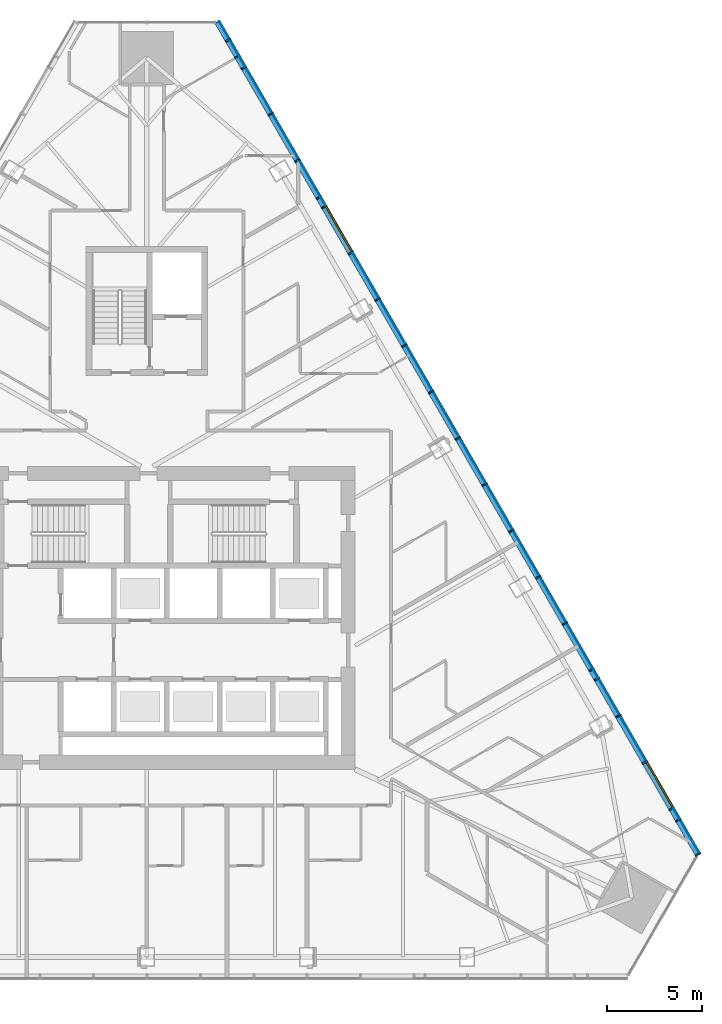
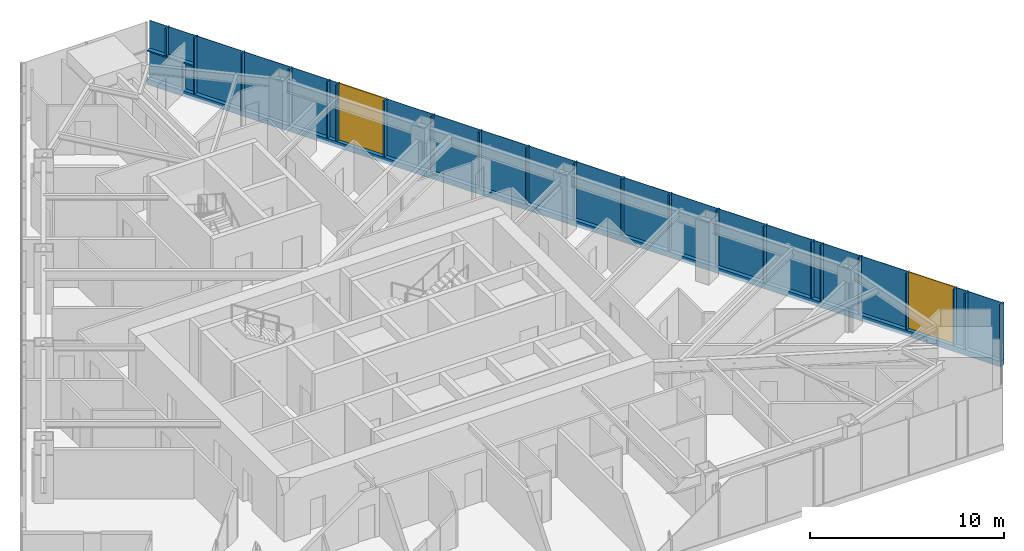
# One storey, part 9 of 20: 25 members, 22 plates, 2 windows, 2 openings, 1 element without a shape of its own.
"""IFC4 building model written with IfcOpenShell, lengths in metres."""

import ifcopenshell
import ifcopenshell.guid

model = None  # the IFC model being written
_history = None  # IfcOwnerHistory: only IFC2X3 demands one
_inside = {}  # id of a spatial element -> (the spatial element, [elements in it])
_under = {}  # id of a project, library or spatial element -> (it, [spatial elements below it])
_declared = {}  # id of a project -> (the project, [libraries it declares])
_typed = {}  # id of a type object -> (the type object, [elements of that type])
_made_of = {}  # id of a material, layer set ... -> (it, [elements and type objects made of it])


def new_model(schema):
    """Start an empty IFC model of exactly this schema.

    Asked for "IFC4X3", IfcOpenShell would pick the latest addendum, in which some entities
    have other attributes; the version numbers below select the first issue.
    IFC2X3 requires an IfcOwnerHistory on every rooted entity: one is made here for all.
    """
    global model, _history
    if schema == "IFC4X3":
        model = ifcopenshell.file(schema_version=(4, 3, 0, 0))
    else:
        model = ifcopenshell.file(schema=schema)
    _inside.clear()
    _under.clear()
    _declared.clear()
    _typed.clear()
    _made_of.clear()
    _history = None
    if model.schema == "IFC2X3":
        org = make("IfcOrganization", Name="unknown")
        user = make(
            "IfcPersonAndOrganization",
            ThePerson=make("IfcPerson", FamilyName="unknown"),
            TheOrganization=org,
        )
        app = make(
            "IfcApplication",
            ApplicationDeveloper=org,
            Version="unknown",
            ApplicationFullName="unknown",
            ApplicationIdentifier="unknown",
        )
        _history = make(
            "IfcOwnerHistory",
            OwningUser=user,
            OwningApplication=app,
            ChangeAction="ADDED",
            CreationDate=0,
        )
    return model


def make(cls, **values):
    """One entity of the class cls with the attributes given. An attribute that is None is left unset."""
    return model.create_entity(
        cls, **{name: value for name, value in values.items() if value is not None}
    )


def rooted(cls, **values):
    """An entity with a GlobalId (a new one), such as an element, a storey or a relation."""
    return make(cls, GlobalId=ifcopenshell.guid.new(), OwnerHistory=_history, **values)


def si_unit(unit_type, name, prefix=None):
    """IfcSIUnit, for example si_unit("LENGTHUNIT", "METRE", prefix="MILLI")."""
    return make("IfcSIUnit", UnitType=unit_type, Prefix=prefix, Name=name)


def assignment(units):
    """IfcUnitAssignment: the units of a project."""
    return None if units is None else make("IfcUnitAssignment", Units=units)


def point(xyz):
    """IfcCartesianPoint."""
    return None if xyz is None else make("IfcCartesianPoint", Coordinates=xyz)


def direction(xyz):
    """IfcDirection."""
    return None if xyz is None else make("IfcDirection", DirectionRatios=xyz)


def frame(location, z_axis=None, x_axis=None):
    """IfcAxis2Placement3D, a coordinate frame: its origin and axes. An axis left out is left unset."""
    return make(
        "IfcAxis2Placement3D",
        Location=point(location),
        Axis=direction(z_axis),
        RefDirection=direction(x_axis),
    )


def frame_2d(location, x_axis=None):
    """IfcAxis2Placement2D, a coordinate frame in the plane: its origin and x axis."""
    return make(
        "IfcAxis2Placement2D", Location=point(location), RefDirection=direction(x_axis)
    )


def origin():
    """The frame at (0, 0, 0) with its axes left unset."""
    return frame((0.0, 0.0, 0.0))


def origin_2d():
    """The frame at (0, 0) in the plane with its x axis left unset."""
    return frame_2d((0.0, 0.0))


def place(relative_to, where):
    """IfcLocalPlacement: puts the frame where relative to a parent placement (None: the world)."""
    return make(
        "IfcLocalPlacement", PlacementRelTo=relative_to, RelativePlacement=where
    )


def context(
    kind, dimensions, precision=None, world=None, true_north=None, identifier=None
):
    """IfcGeometricRepresentationContext, for example the 3D "Model" context."""
    return make(
        "IfcGeometricRepresentationContext",
        ContextIdentifier=identifier,
        ContextType=kind,
        CoordinateSpaceDimension=dimensions,
        Precision=precision,
        WorldCoordinateSystem=world,
        TrueNorth=true_north,
    )


def subcontext(parent, identifier, kind, view, scale=None):
    """IfcGeometricRepresentationSubContext, for example "Body" below "Model"."""
    return make(
        "IfcGeometricRepresentationSubContext",
        ContextIdentifier=identifier,
        ContextType=kind,
        ParentContext=parent,
        TargetScale=scale,
        TargetView=view,
    )


def project(units=None, contexts=None):
    """IfcProject with its units and contexts."""
    return rooted(
        "IfcProject",
        Name="project",
        RepresentationContexts=contexts,
        UnitsInContext=assignment(units),
    )


def spatial(cls, under=None, at=None, **own):
    """A site, building, storey or space (cls), placed at a placement, below another one or the project."""
    s = rooted(cls, ObjectPlacement=at, **own)
    if under is not None:
        _under.setdefault(under.id(), (under, []))[1].append(s)
    return s


def polyline(points):
    """IfcPolyline through the points."""
    return make("IfcPolyline", Points=[point(p) for p in points])


def profile(cls, at=None, kind="AREA", **sizes):
    """A parametric profile (cls). Its sizes go by their IFC names, for example OverallWidth=200.0."""
    return make(cls, ProfileType=kind, Position=at, **sizes)


def rectangle(**sizes):
    """IfcRectangleProfileDef."""
    return profile("IfcRectangleProfileDef", **sizes)


def outline(outer, holes=None, kind="AREA"):
    """IfcArbitraryClosedProfileDef: a profile drawn as a closed curve; with holes, ...WithVoids."""
    if holes is None:
        return make("IfcArbitraryClosedProfileDef", ProfileType=kind, OuterCurve=outer)
    return make(
        "IfcArbitraryProfileDefWithVoids",
        ProfileType=kind,
        OuterCurve=outer,
        InnerCurves=holes,
    )


def extrude(swept, where, along, depth):
    """IfcExtrudedAreaSolid: the profile swept, set in the frame where, extruded along a direction by depth."""
    return make(
        "IfcExtrudedAreaSolid",
        SweptArea=swept,
        Position=where,
        ExtrudedDirection=direction(along),
        Depth=depth,
    )


def shape(context_of_items, identifier, shape_type, items):
    """IfcShapeRepresentation: the items that make up one representation, for example the "Body"."""
    return make(
        "IfcShapeRepresentation",
        ContextOfItems=context_of_items,
        RepresentationIdentifier=identifier,
        RepresentationType=shape_type,
        Items=items,
    )


def material(Name=None, Category=None):
    """IfcMaterial."""
    return make("IfcMaterial", Name=Name, Category=Category)


def layer(
    of_material, thickness, ventilated=None, Name=None, Category=None, Priority=None
):
    """IfcMaterialLayer: one layer of a wall or slab, of a material (None: an air gap)."""
    return make(
        "IfcMaterialLayer",
        Material=of_material,
        LayerThickness=thickness,
        IsVentilated=ventilated,
        Name=Name,
        Category=Category,
        Priority=Priority,
    )


def layer_set(layers, Name=None):
    """IfcMaterialLayerSet."""
    return make("IfcMaterialLayerSet", MaterialLayers=layers, LayerSetName=Name)


def material_profile(
    of_material, cross_section, Name=None, Category=None, Priority=None
):
    """IfcMaterialProfile: a cross section and its material."""
    return make(
        "IfcMaterialProfile",
        Name=Name,
        Material=of_material,
        Profile=cross_section,
        Priority=Priority,
        Category=Category,
    )


def profile_set(profiles, Name=None, composite=None):
    """IfcMaterialProfileSet."""
    return make(
        "IfcMaterialProfileSet",
        Name=Name,
        MaterialProfiles=profiles,
        CompositeProfile=composite,
    )


def made_of(thing, what):
    """Note that an element or type object is made of a material, layer set ...; save() writes the relation."""
    if what is not None:
        _made_of.setdefault(what.id(), (what, []))[1].append(thing)
    return thing


def type_object(cls, material=None, **own):
    """A type object (cls), such as IfcWallType, which elements share."""
    return made_of(rooted(cls, **own), material)


def element(
    cls,
    number,
    at=None,
    inside=None,
    cuts=None,
    type_object=None,
    material=None,
    context=None,
    identifier="Body",
    shape_type=None,
    held_by="IfcProductDefinitionShape",
    body=None,
    shapes=None,
    **own,
):
    """One element of the class cls, such as IfcWall. Its Tag is "e" and its number.

    at: its placement. inside: the storey or other place that contains it. cuts: it is an
    opening in that element (IfcRelVoidsElement). A single representation is given by context,
    identifier, shape_type and body (its items); several are given by shapes. held_by: the class
    of the entity that holds the representations. save() writes the other relations.
    """
    e = rooted(cls, Tag="e%d" % number, ObjectPlacement=at, **own)
    if body is not None:
        shapes = [shape(context, identifier, shape_type, body)]
    if shapes is not None:
        e.Representation = make(held_by, Representations=shapes)
    if inside is not None:
        _inside.setdefault(inside.id(), (inside, []))[1].append(e)
    if cuts is not None:
        rooted(
            "IfcRelVoidsElement", RelatingBuildingElement=cuts, RelatedOpeningElement=e
        )
    if type_object is not None:
        _typed.setdefault(type_object.id(), (type_object, []))[1].append(e)
    return made_of(e, material)


def fill(opening, filler):
    """IfcRelFillsElement: the door or window that sits in an opening."""
    return rooted(
        "IfcRelFillsElement",
        RelatingOpeningElement=opening,
        RelatedBuildingElement=filler,
    )


def aggregate(whole, parts):
    """IfcRelAggregates: a whole, such as a stair, and the parts it consists of."""
    return rooted("IfcRelAggregates", RelatingObject=whole, RelatedObjects=parts)


def save(model, path):
    """Write the relations noted so far, then the file.

    IfcRelAggregates (storeys below a building ...), IfcRelContainedInSpatialStructure (elements
    in a storey), IfcRelDefinesByType, IfcRelAssociatesMaterial and IfcRelDeclares: one each for
    every whole, place, type object, material and project.
    """
    for whole, parts in _under.values():
        aggregate(whole, parts)
    for where, things in _inside.values():
        rooted(
            "IfcRelContainedInSpatialStructure",
            RelatedElements=things,
            RelatingStructure=where,
        )
    for kind, things in _typed.values():
        rooted("IfcRelDefinesByType", RelatedObjects=things, RelatingType=kind)
    for what, things in _made_of.values():
        rooted("IfcRelAssociatesMaterial", RelatedObjects=things, RelatingMaterial=what)
    for by, libraries in _declared.values():
        rooted("IfcRelDeclares", RelatingContext=by, RelatedDefinitions=libraries)
    model.write(path)


model = new_model("IFC4")

# Units and contexts
model_context = context("Model", 3, precision=1e-05, world=origin(), true_north=direction((0.0, 1.0)))
body_context = subcontext(model_context, "Body", "Model", "MODEL_VIEW")
ifc_project = project(units=[si_unit("LENGTHUNIT", "METRE"), si_unit("AREAUNIT", "SQUARE_METRE"), si_unit("VOLUMEUNIT", "CUBIC_METRE"), si_unit("PLANEANGLEUNIT", "RADIAN"), si_unit("MASSUNIT", "GRAM", prefix="KILO")], contexts=[model_context])

# Site, building, storey
site_placement = place(None, origin())
site = spatial("IfcSite", under=ifc_project, at=site_placement, CompositionType="ELEMENT")
building_placement = place(site_placement, origin())
building = spatial("IfcBuilding", under=site, at=building_placement, Name="Firuza Gate Tower and Library", CompositionType="ELEMENT")
storey_placement = place(building_placement, frame((0.0, 0.0, 214.300048828125)))
storey = spatial("IfcBuildingStorey", under=building, at=storey_placement, Name="L50", CompositionType="ELEMENT", Elevation=214.300048828125)

# Curtain wall, openings, members, plates, windows
ifc_material_1 = material(Name="Aluminium 6063-T6", Category="aluminium")
ifc_layer_1 = layer(ifc_material_1, 0.14990234375)
ifc_layer_set_1 = layer_set([ifc_layer_1], Name="Unitised curtain wall, hotel")
curtain_wall_type = type_object("IfcCurtainWallType", Name="Unitised curtain wall, hotel", PredefinedType="NOTDEFINED", material=ifc_layer_set_1)
curtain_wall_placement = place(storey_placement, origin())
curtain_wall = element("IfcCurtainWall", 1, at=curtain_wall_placement, inside=storey, type_object=curtain_wall_type, Name="CW2 L50 E face", PredefinedType="NOTDEFINED")
opening_1_placement = place(curtain_wall_placement, frame((102.76904296875, 64.99755859375, 0.14990234375), z_axis=(0.0, 0.0, 1.0), x_axis=(-0.5, 0.866025, 0.0)))
opening_1 = element("IfcOpeningElement", 2, at=opening_1_placement, cuts=curtain_wall, Name="Opening WD1-001", PredefinedType="OPENING", context=body_context, shape_type="SweptSolid", body=[
    extrude(rectangle(XDim=2.743408203125, YDim=3.550048828125, at=frame_2d((1.37158203125, 1.77490234375))), frame((0.0, 0.0849609375, 0.0), z_axis=(0.0, -1.0, 0.0), x_axis=(1.0, 0.0, 0.0)), (0.0, 0.0, 1.0), 0.169921875),
])
opening_2_placement = place(curtain_wall_placement, frame((85.828857421875, 94.3388671875, 0.14990234375), z_axis=(0.0, 0.0, 1.0), x_axis=(-0.5, 0.866025, 0.0)))
opening_2 = element("IfcOpeningElement", 3, at=opening_2_placement, cuts=curtain_wall, Name="Opening WD1-002", PredefinedType="OPENING", context=body_context, shape_type="SweptSolid", body=[
    extrude(rectangle(XDim=2.743408203125, YDim=3.550048828125, at=frame_2d((1.37158203125, 1.77490234375))), frame((0.0, 0.0849609375, 0.0), z_axis=(0.0, -1.0, 0.0), x_axis=(1.0, 0.0, 0.0)), (0.0, 0.0, 1.0), 0.169921875),
])
ifc_material_2 = material(Name="Aluminium 6063-T6", Category="aluminium")
ifc_material_profile_1 = material_profile(ifc_material_2, rectangle(XDim=0.320068359375, YDim=0.080078125, at=origin_2d()))
ifc_profile_set_1 = profile_set([ifc_material_profile_1], Name="Aluminium 6063-T6")
member_type_1 = type_object("IfcMemberType", Name="Curtain wall mullion 80x320", PredefinedType="MULLION", material=ifc_profile_set_1)
member_1_placement = place(storey_placement, frame((104.107177734375, 62.510009765625, 0.14990234375), z_axis=(0.0, 0.0, 1.0), x_axis=(-0.866025403784, -0.5, 0.0)))
member_1 = element("IfcMember", 4, at=member_1_placement, type_object=member_type_1, Name="Mullion", PredefinedType="MULLION", context=body_context, shape_type="SweptSolid", body=[
    extrude(rectangle(XDim=0.320068359375, YDim=0.080078125, at=origin_2d()), origin(), (0.0, 0.0, 1.0), 3.550048828125),
])
member_2_placement = place(storey_placement, frame((102.715576171875, 64.92041015625, 0.14990234375), z_axis=(0.0, 0.0, 1.0), x_axis=(-0.866025403784, -0.5, 0.0)))
member_2 = element("IfcMember", 5, at=member_2_placement, type_object=member_type_1, Name="Mullion", PredefinedType="MULLION", context=body_context, shape_type="SweptSolid", body=[
    extrude(rectangle(XDim=0.320068359375, YDim=0.080078125, at=origin_2d()), origin(), (0.0, 0.0, 1.0), 3.550048828125),
])
member_3_placement = place(storey_placement, frame((101.303955078125, 67.365478515625, 0.14990234375), z_axis=(0.0, 0.0, 1.0), x_axis=(-0.866025403784, -0.5, 0.0)))
member_3 = element("IfcMember", 6, at=member_3_placement, type_object=member_type_1, Name="Mullion", PredefinedType="MULLION", context=body_context, shape_type="SweptSolid", body=[
    extrude(rectangle(XDim=0.320068359375, YDim=0.080078125, at=origin_2d()), origin(), (0.0, 0.0, 1.0), 3.550048828125),
])
member_4_placement = place(storey_placement, frame((99.89208984375, 69.810546875, 0.14990234375), z_axis=(0.0, 0.0, 1.0), x_axis=(-0.866025403784, -0.5, 0.0)))
member_4 = element("IfcMember", 7, at=member_4_placement, type_object=member_type_1, Name="Mullion", PredefinedType="MULLION", context=body_context, shape_type="SweptSolid", body=[
    extrude(rectangle(XDim=0.320068359375, YDim=0.080078125, at=origin_2d()), origin(), (0.0, 0.0, 1.0), 3.550048828125),
])
member_5_placement = place(storey_placement, frame((98.48046875, 72.255859375, 0.14990234375), z_axis=(0.0, 0.0, 1.0), x_axis=(-0.866025403784, -0.5, 0.0)))
member_5 = element("IfcMember", 8, at=member_5_placement, type_object=member_type_1, Name="Mullion", PredefinedType="MULLION", context=body_context, shape_type="SweptSolid", body=[
    extrude(rectangle(XDim=0.320068359375, YDim=0.080078125, at=origin_2d()), origin(), (0.0, 0.0, 1.0), 3.550048828125),
])
member_6_placement = place(storey_placement, frame((97.06884765625, 74.700927734375, 0.14990234375), z_axis=(0.0, 0.0, 1.0), x_axis=(-0.866025403784, -0.5, 0.0)))
member_6 = element("IfcMember", 9, at=member_6_placement, type_object=member_type_1, Name="Mullion", PredefinedType="MULLION", context=body_context, shape_type="SweptSolid", body=[
    extrude(rectangle(XDim=0.320068359375, YDim=0.080078125, at=origin_2d()), origin(), (0.0, 0.0, 1.0), 3.550048828125),
])
member_7_placement = place(storey_placement, frame((95.6572265625, 77.14599609375, 0.14990234375), z_axis=(0.0, 0.0, 1.0), x_axis=(-0.866025403784, -0.5, 0.0)))
member_7 = element("IfcMember", 10, at=member_7_placement, type_object=member_type_1, Name="Mullion", PredefinedType="MULLION", context=body_context, shape_type="SweptSolid", body=[
    extrude(rectangle(XDim=0.320068359375, YDim=0.080078125, at=origin_2d()), origin(), (0.0, 0.0, 1.0), 3.550048828125),
])
member_8_placement = place(storey_placement, frame((94.245361328125, 79.591064453125, 0.14990234375), z_axis=(0.0, 0.0, 1.0), x_axis=(-0.866025403784, -0.5, 0.0)))
member_8 = element("IfcMember", 11, at=member_8_placement, type_object=member_type_1, Name="Mullion", PredefinedType="MULLION", context=body_context, shape_type="SweptSolid", body=[
    extrude(rectangle(XDim=0.320068359375, YDim=0.080078125, at=origin_2d()), origin(), (0.0, 0.0, 1.0), 3.550048828125),
])
member_9_placement = place(storey_placement, frame((92.833740234375, 82.0361328125, 0.14990234375), z_axis=(0.0, 0.0, 1.0), x_axis=(-0.866025403784, -0.5, 0.0)))
member_9 = element("IfcMember", 12, at=member_9_placement, type_object=member_type_1, Name="Mullion", PredefinedType="MULLION", context=body_context, shape_type="SweptSolid", body=[
    extrude(rectangle(XDim=0.320068359375, YDim=0.080078125, at=origin_2d()), origin(), (0.0, 0.0, 1.0), 3.550048828125),
])
member_10_placement = place(storey_placement, frame((91.422119140625, 84.481201171875, 0.14990234375), z_axis=(0.0, 0.0, 1.0), x_axis=(-0.866025403784, -0.5, 0.0)))
member_10 = element("IfcMember", 13, at=member_10_placement, type_object=member_type_1, Name="Mullion", PredefinedType="MULLION", context=body_context, shape_type="SweptSolid", body=[
    extrude(rectangle(XDim=0.320068359375, YDim=0.080078125, at=origin_2d()), origin(), (0.0, 0.0, 1.0), 3.550048828125),
])
member_11_placement = place(storey_placement, frame((90.010498046875, 86.92626953125, 0.14990234375), z_axis=(0.0, 0.0, 1.0), x_axis=(-0.866025403784, -0.5, 0.0)))
member_11 = element("IfcMember", 14, at=member_11_placement, type_object=member_type_1, Name="Mullion", PredefinedType="MULLION", context=body_context, shape_type="SweptSolid", body=[
    extrude(rectangle(XDim=0.320068359375, YDim=0.080078125, at=origin_2d()), origin(), (0.0, 0.0, 1.0), 3.550048828125),
])
member_12_placement = place(storey_placement, frame((88.5986328125, 89.37158203125, 0.14990234375), z_axis=(0.0, 0.0, 1.0), x_axis=(-0.866025403784, -0.5, 0.0)))
member_12 = element("IfcMember", 15, at=member_12_placement, type_object=member_type_1, Name="Mullion", PredefinedType="MULLION", context=body_context, shape_type="SweptSolid", body=[
    extrude(rectangle(XDim=0.320068359375, YDim=0.080078125, at=origin_2d()), origin(), (0.0, 0.0, 1.0), 3.550048828125),
])
member_13_placement = place(storey_placement, frame((87.18701171875, 91.816650390625, 0.14990234375), z_axis=(0.0, 0.0, 1.0), x_axis=(-0.866025403784, -0.5, 0.0)))
member_13 = element("IfcMember", 16, at=member_13_placement, type_object=member_type_1, Name="Mullion", PredefinedType="MULLION", context=body_context, shape_type="SweptSolid", body=[
    extrude(rectangle(XDim=0.320068359375, YDim=0.080078125, at=origin_2d()), origin(), (0.0, 0.0, 1.0), 3.550048828125),
])
member_14_placement = place(storey_placement, frame((85.775390625, 94.26171875, 0.14990234375), z_axis=(0.0, 0.0, 1.0), x_axis=(-0.866025403784, -0.5, 0.0)))
member_14 = element("IfcMember", 17, at=member_14_placement, type_object=member_type_1, Name="Mullion", PredefinedType="MULLION", context=body_context, shape_type="SweptSolid", body=[
    extrude(rectangle(XDim=0.320068359375, YDim=0.080078125, at=origin_2d()), origin(), (0.0, 0.0, 1.0), 3.550048828125),
])
member_15_placement = place(storey_placement, frame((84.363525390625, 96.706787109375, 0.14990234375), z_axis=(0.0, 0.0, 1.0), x_axis=(-0.866025403784, -0.5, 0.0)))
member_15 = element("IfcMember", 18, at=member_15_placement, type_object=member_type_1, Name="Mullion", PredefinedType="MULLION", context=body_context, shape_type="SweptSolid", body=[
    extrude(rectangle(XDim=0.320068359375, YDim=0.080078125, at=origin_2d()), origin(), (0.0, 0.0, 1.0), 3.550048828125),
])
member_16_placement = place(storey_placement, frame((82.951904296875, 99.15185546875, 0.14990234375), z_axis=(0.0, 0.0, 1.0), x_axis=(-0.866025403784, -0.5, 0.0)))
member_16 = element("IfcMember", 19, at=member_16_placement, type_object=member_type_1, Name="Mullion", PredefinedType="MULLION", context=body_context, shape_type="SweptSolid", body=[
    extrude(rectangle(XDim=0.320068359375, YDim=0.080078125, at=origin_2d()), origin(), (0.0, 0.0, 1.0), 3.550048828125),
])
member_17_placement = place(storey_placement, frame((81.540283203125, 101.596923828125, 0.14990234375), z_axis=(0.0, 0.0, 1.0), x_axis=(-0.866025403784, -0.5, 0.0)))
member_17 = element("IfcMember", 20, at=member_17_placement, type_object=member_type_1, Name="Mullion", PredefinedType="MULLION", context=body_context, shape_type="SweptSolid", body=[
    extrude(rectangle(XDim=0.320068359375, YDim=0.080078125, at=origin_2d()), origin(), (0.0, 0.0, 1.0), 3.550048828125),
])
member_18_placement = place(storey_placement, frame((80.128662109375, 104.042236328125, 0.14990234375), z_axis=(0.0, 0.0, 1.0), x_axis=(-0.866025403784, -0.5, 0.0)))
member_18 = element("IfcMember", 21, at=member_18_placement, type_object=member_type_1, Name="Mullion", PredefinedType="MULLION", context=body_context, shape_type="SweptSolid", body=[
    extrude(rectangle(XDim=0.320068359375, YDim=0.080078125, at=origin_2d()), origin(), (0.0, 0.0, 1.0), 3.550048828125),
])
member_19_placement = place(storey_placement, frame((103.057373046875, 64.328125, 0.14990234375), z_axis=(0.0, 0.0, 1.0), x_axis=(-0.866025403784, -0.5, 0.0)))
member_19 = element("IfcMember", 22, at=member_19_placement, type_object=member_type_1, Name="Mullion", PredefinedType="MULLION", context=body_context, shape_type="SweptSolid", body=[
    extrude(rectangle(XDim=0.320068359375, YDim=0.080078125, at=origin_2d()), origin(), (0.0, 0.0, 1.0), 3.550048828125),
])
member_20_placement = place(storey_placement, frame((98.760498046875, 71.7705078125, 0.14990234375), z_axis=(0.0, 0.0, 1.0), x_axis=(-0.866025403784, -0.5, 0.0)))
member_20 = element("IfcMember", 23, at=member_20_placement, type_object=member_type_1, Name="Mullion", PredefinedType="MULLION", context=body_context, shape_type="SweptSolid", body=[
    extrude(rectangle(XDim=0.320068359375, YDim=0.080078125, at=origin_2d()), origin(), (0.0, 0.0, 1.0), 3.550048828125),
])
member_21_placement = place(storey_placement, frame((84.08349609375, 97.19189453125, 0.14990234375), z_axis=(0.0, 0.0, 1.0), x_axis=(-0.866025403784, -0.5, 0.0)))
member_21 = element("IfcMember", 24, at=member_21_placement, type_object=member_type_1, Name="Mullion", PredefinedType="MULLION", context=body_context, shape_type="SweptSolid", body=[
    extrude(rectangle(XDim=0.320068359375, YDim=0.080078125, at=origin_2d()), origin(), (0.0, 0.0, 1.0), 3.550048828125),
])
member_22_placement = place(storey_placement, frame((79.78662109375, 104.63427734375, 0.14990234375), z_axis=(0.0, 0.0, 1.0), x_axis=(-0.866025403784, -0.5, 0.0)))
member_22 = element("IfcMember", 25, at=member_22_placement, type_object=member_type_1, Name="Mullion", PredefinedType="MULLION", context=body_context, shape_type="SweptSolid", body=[
    extrude(rectangle(XDim=0.320068359375, YDim=0.080078125, at=origin_2d()), origin(), (0.0, 0.0, 1.0), 1.735107421875),
])
member_23_placement = place(storey_placement, frame((79.28662109375, 105.500244140625, 1.96484375), z_axis=(0.0, 0.0, 1.0), x_axis=(-0.866025403784, -0.5, 0.0)))
member_23 = element("IfcMember", 26, at=member_23_placement, type_object=member_type_1, Name="Mullion", PredefinedType="MULLION", context=body_context, shape_type="SweptSolid", body=[
    extrude(rectangle(XDim=0.320068359375, YDim=0.080078125, at=origin_2d()), origin(), (0.0, 0.0, 1.0), 1.735107421875),
])
ifc_material_3 = material(Name="Aluminium 6063-T6", Category="aluminium")
ifc_material_profile_2 = material_profile(ifc_material_3, rectangle(XDim=0.320068359375, YDim=0.35009765625, at=origin_2d()))
ifc_profile_set_2 = profile_set([ifc_material_profile_2], Name="Aluminium 6063-T6")
member_type_2 = type_object("IfcMemberType", Name="Curtain wall transom 350x320", PredefinedType="USERDEFINED", material=ifc_profile_set_2)
member_24_placement = place(storey_placement, frame((104.127197265625, 62.475341796875, -0.025146484375), z_axis=(-0.500001206715, 0.866024707086, 0.0), x_axis=(-0.866024707086, -0.500001206715, 0.0)))
member_24 = element("IfcMember", 27, at=member_24_placement, type_object=member_type_2, Name="Transom", ObjectType="TRANSOM", PredefinedType="USERDEFINED", context=body_context, shape_type="SweptSolid", body=[
    extrude(rectangle(XDim=0.320068359375, YDim=0.35009765625, at=origin_2d()), origin(), (0.0, 0.0, 1.0), 50.820556640625),
])
ifc_material_4 = material(Name="Aluminium 6063-T6", Category="aluminium")
ifc_material_profile_3 = material_profile(ifc_material_4, rectangle(XDim=0.320068359375, YDim=0.080078125, at=origin_2d()))
ifc_profile_set_3 = profile_set([ifc_material_profile_3], Name="Aluminium 6063-T6")
member_type_3 = type_object("IfcMemberType", Name="Curtain wall transom 80x320", PredefinedType="USERDEFINED", material=ifc_profile_set_3)
member_25_placement = place(storey_placement, frame((80.108642578125, 104.07666015625, 1.925048828125), z_axis=(-0.500015161905, 0.866016649877, 0.0), x_axis=(-0.866016649877, -0.500015161905, 0.0)))
member_25 = element("IfcMember", 28, at=member_25_placement, type_object=member_type_3, Name="Transom", ObjectType="TRANSOM", PredefinedType="USERDEFINED", context=body_context, shape_type="SweptSolid", body=[
    extrude(rectangle(XDim=0.320068359375, YDim=0.080078125, at=origin_2d()), origin(), (0.0, 0.0, 1.0), 2.74365234375),
])
ifc_material_5 = material(Name="Fritted glass", Category="glass")
ifc_layer_2 = layer(ifc_material_5, 0.030029296875)
ifc_layer_set_2 = layer_set([ifc_layer_2], Name="Fritted glass unit, hotel")
plate_type_1 = type_object("IfcPlateType", Name="Fritted glass unit, hotel", PredefinedType="CURTAIN_PANEL", material=ifc_layer_set_2)
plate_1_placement = place(storey_placement, frame((103.1240234375, 64.412841796875, 0.14990234375), z_axis=(0.865970128318, 0.500095727698, 0.0), x_axis=(-0.500095727698, 0.865970128318, 0.0)))
plate_1 = element("IfcPlate", 29, at=plate_1_placement, type_object=plate_type_1, Name="Glass unit", PredefinedType="CURTAIN_PANEL", context=body_context, shape_type="SweptSolid", body=[
    extrude(outline(polyline([(0.0, 0.0), (0.6038882885787321, 0.0), (0.6038882885787321, 3.5500488281249996), (0.0, 3.5500488281249996), (0.0, 0.0)])), origin(), (0.0, 0.0, -1.0), 0.030029296875),
])
plate_2_placement = place(storey_placement, frame((98.8271484375, 71.855224609375, 0.14990234375), z_axis=(0.866075499611, 0.499913221443, 0.0), x_axis=(-0.499913221443, 0.866075499611, 0.0)))
plate_2 = element("IfcPlate", 30, at=plate_2_placement, type_object=plate_type_1, Name="Glass unit", PredefinedType="CURTAIN_PANEL", context=body_context, shape_type="SweptSolid", body=[
    extrude(outline(polyline([(0.0, 0.0), (0.48006378723536136, 0.0), (0.48006378723536136, 3.550048828125), (0.0, 3.550048828125), (0.0, 0.0)])), origin(), (0.0, 0.0, -1.0), 0.030029296875),
])
plate_3_placement = place(storey_placement, frame((98.547119140625, 72.34033203125, 0.14990234375), z_axis=(0.866016649877, 0.500015161905, 0.0), x_axis=(-0.500015161905, 0.866016649877, 0.0)))
plate_3 = element("IfcPlate", 31, at=plate_3_placement, type_object=plate_type_1, Name="Glass unit", PredefinedType="CURTAIN_PANEL", context=body_context, shape_type="SweptSolid", body=[
    extrude(outline(polyline([(0.0, 0.0), (2.7435691482793962, 0.0), (2.7435691482793962, 3.550048828125001), (0.0, 3.550048828125001), (0.0, 0.0)])), origin(), (0.0, 0.0, -1.0), 0.030029296875),
])
plate_4_placement = place(storey_placement, frame((94.31201171875, 79.67578125, 0.14990234375), z_axis=(0.866032936488, 0.499986952748, 0.0), x_axis=(-0.499986952748, 0.866032936488, 0.0)))
plate_4 = element("IfcPlate", 32, at=plate_4_placement, type_object=plate_type_1, Name="Glass unit", PredefinedType="CURTAIN_PANEL", context=body_context, shape_type="SweptSolid", body=[
    extrude(outline(polyline([(0.0, 0.0), (2.7432356458743987, 0.0), (2.7432356458743987, 3.550048828125), (0.0, 3.550048828125), (0.0, 0.0)])), origin(), (0.0, 0.0, -1.0), 0.030029296875),
])
plate_5_placement = place(storey_placement, frame((90.076904296875, 87.010986328125, 0.14990234375), z_axis=(0.866055182085, 0.499948418923, 0.0), x_axis=(-0.499948418923, 0.866055182085, 0.0)))
plate_5 = element("IfcPlate", 33, at=plate_5_placement, type_object=plate_type_1, Name="Glass unit", PredefinedType="CURTAIN_PANEL", context=body_context, shape_type="SweptSolid", body=[
    extrude(outline(polyline([(0.0, 0.0), (2.7434470824124153, 0.0), (2.7434470824124153, 3.550048828125001), (0.0, 3.550048828125001), (0.0, 0.0)])), origin(), (0.0, 0.0, -1.0), 0.030029296875),
])
plate_6_placement = place(storey_placement, frame((84.43017578125, 96.79150390625, 0.14990234375), z_axis=(0.866075499611, 0.499913221443, 0.0), x_axis=(-0.499913221443, 0.866075499611, 0.0)))
plate_6 = element("IfcPlate", 34, at=plate_6_placement, type_object=plate_type_1, Name="Glass unit", PredefinedType="CURTAIN_PANEL", context=body_context, shape_type="SweptSolid", body=[
    extrude(outline(polyline([(0.0, 0.0), (0.48006378723536136, 0.0), (0.48006378723536136, 3.550048828125), (0.0, 3.550048828125), (0.0, 0.0)])), origin(), (0.0, 0.0, -1.0), 0.030029296875),
])
plate_7_placement = place(storey_placement, frame((81.60693359375, 101.681640625, 0.14990234375), z_axis=(0.86599439933, 0.500053697445, 0.0), x_axis=(-0.500053697445, 0.86599439933, 0.0)))
plate_7 = element("IfcPlate", 35, at=plate_7_placement, type_object=plate_type_1, Name="Glass unit", PredefinedType="CURTAIN_PANEL", context=body_context, shape_type="SweptSolid", body=[
    extrude(outline(polyline([(0.0, 0.0), (2.7433577211492617, 0.0), (2.7433577211492617, 3.550048828125001), (0.0, 3.550048828125001), (0.0, 0.0)])), origin(), (0.0, 0.0, -1.0), 0.030029296875),
])
plate_8_placement = place(storey_placement, frame((80.1953125, 104.126708984375, 0.14990234375), z_axis=(0.865970128318, 0.500095727698, 0.0), x_axis=(-0.500095727698, 0.865970128318, 0.0)))
plate_8 = element("IfcPlate", 36, at=plate_8_placement, type_object=plate_type_1, Name="Glass unit", PredefinedType="CURTAIN_PANEL", context=body_context, shape_type="SweptSolid", body=[
    extrude(outline(polyline([(0.0, 0.0), (0.6038882885787321, 0.0), (0.6038882885787321, 1.735107421875), (0.0, 1.735107421875), (0.0, 0.0)])), origin(), (0.0, 0.0, -1.0), 0.030029296875),
])
plate_9_placement = place(storey_placement, frame((80.1953125, 104.126708984375, 1.96484375), z_axis=(0.865995456094, 0.500051867335, 0.0), x_axis=(-0.500051867335, 0.865995456094, 0.0)))
plate_9 = element("IfcPlate", 37, at=plate_9_placement, type_object=plate_type_1, Name="Glass unit", PredefinedType="CURTAIN_PANEL", context=body_context, shape_type="SweptSolid", body=[
    extrude(outline(polyline([(0.0, 0.0), (1.6038375326933647, 0.0), (1.6038375326933647, 1.735107421875), (0.0, 1.735107421875), (0.0, 0.0)])), origin(), (0.0, 0.0, -1.0), 0.030029296875),
])
ifc_material_6 = material(Name="Glazed ceramic tile")
ifc_layer_3 = layer(ifc_material_6, 0.030029296875)
ifc_layer_set_3 = layer_set([ifc_layer_3], Name="Opaque ceramic panel, hotel")
plate_type_2 = type_object("IfcPlateType", Name="Opaque ceramic panel, hotel", PredefinedType="CURTAIN_PANEL", material=ifc_layer_set_3)
plate_10_placement = place(storey_placement, frame((104.19384765625, 62.56005859375, 0.14990234375), z_axis=(0.866001980287, 0.500040568494, 0.0), x_axis=(-0.500040568494, 0.866001980287, 0.0)))
plate_10 = element("IfcPlate", 38, at=plate_10_placement, type_object=plate_type_2, Name="Opaque ceramic panel", PredefinedType="CURTAIN_PANEL", context=body_context, shape_type="SweptSolid", body=[
    extrude(outline(polyline([(0.0, 0.0), (2.0594032187257856, 0.0), (2.0594032187257856, 3.550048828125), (0.0, 3.550048828125), (0.0, 0.0)])), origin(), (0.0, 0.0, -1.0), 0.030029296875),
])
plate_11_placement = place(storey_placement, frame((101.370361328125, 67.4501953125, 0.14990234375), z_axis=(0.866032936488, 0.499986952748, 0.0), x_axis=(-0.499986952748, 0.866032936488, 0.0)))
plate_11 = element("IfcPlate", 39, at=plate_11_placement, type_object=plate_type_2, Name="Opaque ceramic panel", PredefinedType="CURTAIN_PANEL", context=body_context, shape_type="SweptSolid", body=[
    extrude(outline(polyline([(0.0, 0.0), (2.7432356458743987, 0.0), (2.7432356458743987, 3.550048828125), (0.0, 3.550048828125), (0.0, 0.0)])), origin(), (0.0, 0.0, -1.0), 0.030029296875),
])
plate_12_placement = place(storey_placement, frame((99.958740234375, 69.895263671875, 0.14990234375), z_axis=(0.866025427251, 0.499999959354, 0.0), x_axis=(-0.499999959354, 0.866025427251, 0.0)))
plate_12 = element("IfcPlate", 40, at=plate_12_placement, type_object=plate_type_2, Name="Opaque ceramic panel", PredefinedType="CURTAIN_PANEL", context=body_context, shape_type="SweptSolid", body=[
    extrude(outline(polyline([(0.0, 0.0), (2.1831056462174567, 0.0), (2.1831056462174567, 3.550048828125), (0.0, 3.550048828125), (0.0, 0.0)])), origin(), (0.0, 0.0, -1.0), 0.030029296875),
])
plate_13_placement = place(storey_placement, frame((97.135498046875, 74.785400390625, 0.14990234375), z_axis=(0.866016649877, 0.500015161905, 0.0), x_axis=(-0.500015161905, 0.866016649877, 0.0)))
plate_13 = element("IfcPlate", 41, at=plate_13_placement, type_object=plate_type_2, Name="Opaque ceramic panel", PredefinedType="CURTAIN_PANEL", context=body_context, shape_type="SweptSolid", body=[
    extrude(outline(polyline([(0.0, 0.0), (2.7435691482793962, 0.0), (2.7435691482793962, 3.550048828125001), (0.0, 3.550048828125001), (0.0, 0.0)])), origin(), (0.0, 0.0, -1.0), 0.030029296875),
])
plate_14_placement = place(storey_placement, frame((95.7236328125, 77.230712890625, 0.14990234375), z_axis=(0.866032936488, 0.499986952748, 0.0), x_axis=(-0.499986952748, 0.866032936488, 0.0)))
plate_14 = element("IfcPlate", 42, at=plate_14_placement, type_object=plate_type_2, Name="Opaque ceramic panel", PredefinedType="CURTAIN_PANEL", context=body_context, shape_type="SweptSolid", body=[
    extrude(outline(polyline([(0.0, 0.0), (2.7432356458743987, 0.0), (2.7432356458743987, 3.550048828125), (0.0, 3.550048828125), (0.0, 0.0)])), origin(), (0.0, 0.0, -1.0), 0.030029296875),
])
plate_15_placement = place(storey_placement, frame((92.900390625, 82.120849609375, 0.14990234375), z_axis=(0.86599439933, 0.500053697445, 0.0), x_axis=(-0.500053697445, 0.86599439933, 0.0)))
plate_15 = element("IfcPlate", 43, at=plate_15_placement, type_object=plate_type_2, Name="Opaque ceramic panel", PredefinedType="CURTAIN_PANEL", context=body_context, shape_type="SweptSolid", body=[
    extrude(outline(polyline([(0.0, 0.0), (2.7433577211492617, 0.0), (2.7433577211492617, 3.550048828125001), (0.0, 3.550048828125001), (0.0, 0.0)])), origin(), (0.0, 0.0, -1.0), 0.030029296875),
])
plate_16_placement = place(storey_placement, frame((91.48876953125, 84.56591796875, 0.14990234375), z_axis=(0.86599439933, 0.500053697445, 0.0), x_axis=(-0.500053697445, 0.86599439933, 0.0)))
plate_16 = element("IfcPlate", 44, at=plate_16_placement, type_object=plate_type_2, Name="Opaque ceramic panel", PredefinedType="CURTAIN_PANEL", context=body_context, shape_type="SweptSolid", body=[
    extrude(outline(polyline([(0.0, 0.0), (2.7433577211492617, 0.0), (2.7433577211492617, 3.550048828125001), (0.0, 3.550048828125001), (0.0, 0.0)])), origin(), (0.0, 0.0, -1.0), 0.030029296875),
])
plate_17_placement = place(storey_placement, frame((88.665283203125, 89.4560546875, 0.14990234375), z_axis=(0.866055182085, 0.499948418923, 0.0), x_axis=(-0.499948418923, 0.866055182085, 0.0)))
plate_17 = element("IfcPlate", 45, at=plate_17_placement, type_object=plate_type_2, Name="Opaque ceramic panel", PredefinedType="CURTAIN_PANEL", context=body_context, shape_type="SweptSolid", body=[
    extrude(outline(polyline([(0.0, 0.0), (2.7434470824124153, 0.0), (2.7434470824124153, 3.550048828125001), (0.0, 3.550048828125001), (0.0, 0.0)])), origin(), (0.0, 0.0, -1.0), 0.030029296875),
])
plate_18_placement = place(storey_placement, frame((87.253662109375, 91.901123046875, 0.14990234375), z_axis=(0.866016649877, 0.500015161905, 0.0), x_axis=(-0.500015161905, 0.866016649877, 0.0)))
plate_18 = element("IfcPlate", 46, at=plate_18_placement, type_object=plate_type_2, Name="Opaque ceramic panel", PredefinedType="CURTAIN_PANEL", context=body_context, shape_type="SweptSolid", body=[
    extrude(outline(polyline([(0.0, 0.0), (2.7435691482793962, 0.0), (2.7435691482793962, 3.550048828125001), (0.0, 3.550048828125001), (0.0, 0.0)])), origin(), (0.0, 0.0, -1.0), 0.030029296875),
])
plate_19_placement = place(storey_placement, frame((84.150146484375, 97.276611328125, 0.14990234375), z_axis=(0.866025427251, 0.499999959354, 0.0), x_axis=(-0.499999959354, 0.866025427251, 0.0)))
plate_19 = element("IfcPlate", 47, at=plate_19_placement, type_object=plate_type_2, Name="Opaque ceramic panel", PredefinedType="CURTAIN_PANEL", context=body_context, shape_type="SweptSolid", body=[
    extrude(outline(polyline([(0.0, 0.0), (2.1831056462174567, 0.0), (2.1831056462174567, 3.550048828125), (0.0, 3.550048828125), (0.0, 0.0)])), origin(), (0.0, 0.0, -1.0), 0.030029296875),
])
plate_20_placement = place(storey_placement, frame((83.0185546875, 99.236572265625, 0.14990234375), z_axis=(0.866032936488, 0.499986952748, 0.0), x_axis=(-0.499986952748, 0.866032936488, 0.0)))
plate_20 = element("IfcPlate", 48, at=plate_20_placement, type_object=plate_type_2, Name="Opaque ceramic panel", PredefinedType="CURTAIN_PANEL", context=body_context, shape_type="SweptSolid", body=[
    extrude(outline(polyline([(0.0, 0.0), (2.7432356458743987, 0.0), (2.7432356458743987, 3.550048828125), (0.0, 3.550048828125), (0.0, 0.0)])), origin(), (0.0, 0.0, -1.0), 0.030029296875),
])
plate_21_placement = place(storey_placement, frame((79.853271484375, 104.718994140625, 0.14990234375), z_axis=(0.866031617834, 0.499989236795, 0.0), x_axis=(-0.499989236795, 0.866031617834, 0.0)))
plate_21 = element("IfcPlate", 49, at=plate_21_placement, type_object=plate_type_2, Name="Opaque ceramic panel", PredefinedType="CURTAIN_PANEL", context=body_context, shape_type="SweptSolid", body=[
    extrude(outline(polyline([(0.0, 0.0), (2.0596146486085547, 0.0), (2.0596146486085547, 1.7351074218750004), (0.0, 1.7351074218750004), (0.0, 0.0)])), origin(), (0.0, 0.0, -1.0), 0.030029296875),
])
plate_22_placement = place(storey_placement, frame((79.353271484375, 105.5849609375, 1.96484375), z_axis=(0.866051307416, 0.49995513091, 0.0), x_axis=(-0.49995513091, 0.866051307416, 0.0)))
plate_22 = element("IfcPlate", 50, at=plate_22_placement, type_object=plate_type_2, Name="Opaque ceramic panel", PredefinedType="CURTAIN_PANEL", context=body_context, shape_type="SweptSolid", body=[
    extrude(outline(polyline([(0.0, 0.0), (1.0596654049440952, 0.0), (1.0596654049440952, 1.735107421875), (0.0, 1.735107421875), (0.0, 0.0)])), origin(), (0.0, 0.0, -1.0), 0.030029296875),
])
aggregate(curtain_wall, [member_1, member_2, member_3, member_4, member_5, member_6, member_7, member_8, member_9, member_10, member_11, member_12, member_13, member_14, member_15, member_16, member_17, member_18, member_24, plate_10, plate_1, member_19, plate_11, plate_12, plate_2, member_20, plate_3, plate_13, plate_14, plate_4, plate_15, plate_16, plate_5, plate_17, plate_18, plate_6, plate_19, member_21, plate_20, plate_7, plate_8, plate_21, plate_9, plate_22, member_22, member_23, member_25])
ifc_material_7 = material(Name="Aluminium 6063-T6 and glass", Category="aluminium")
ifc_layer_4 = layer(ifc_material_7, 0.030029296875)
ifc_layer_set_4 = layer_set([ifc_layer_4], Name="Operable glazed unit")
window_type = type_object("IfcWindowType", Name="Operable glazed unit", PartitioningType="SINGLE_PANEL", PredefinedType="WINDOW", material=ifc_layer_set_4)
window_1_placement = place(opening_1_placement, origin())
window_1 = element("IfcWindow", 51, at=window_1_placement, inside=storey, type_object=window_type, Name="Operable glazed unit", OverallHeight=3.550048828125, OverallWidth=2.743408203125, PartitioningType="SINGLE_PANEL", PredefinedType="WINDOW", context=body_context, shape_type="SweptSolid", body=[
    extrude(rectangle(XDim=2.743408203125, YDim=3.550048828125, at=frame_2d((1.37158203125, 1.77490234375))), frame((0.0, 0.030029296875, 0.0), z_axis=(0.0, -1.0, 0.0), x_axis=(1.0, 0.0, 0.0)), (0.0, 0.0, 1.0), 0.06005859375),
])
fill(opening_1, window_1)
window_2_placement = place(opening_2_placement, origin())
window_2 = element("IfcWindow", 52, at=window_2_placement, inside=storey, type_object=window_type, Name="Operable glazed unit", OverallHeight=3.550048828125, OverallWidth=2.743408203125, PartitioningType="SINGLE_PANEL", PredefinedType="WINDOW", context=body_context, shape_type="SweptSolid", body=[
    extrude(rectangle(XDim=2.743408203125, YDim=3.550048828125, at=frame_2d((1.37158203125, 1.77490234375))), frame((0.0, 0.030029296875, 0.0), z_axis=(0.0, -1.0, 0.0), x_axis=(1.0, 0.0, 0.0)), (0.0, 0.0, 1.0), 0.06005859375),
])
fill(opening_2, window_2)

save(model, "model.ifc")
